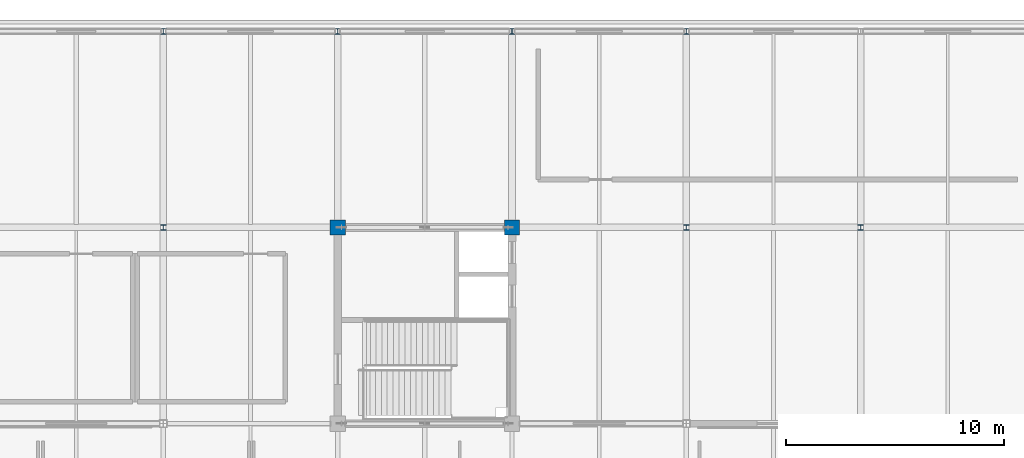
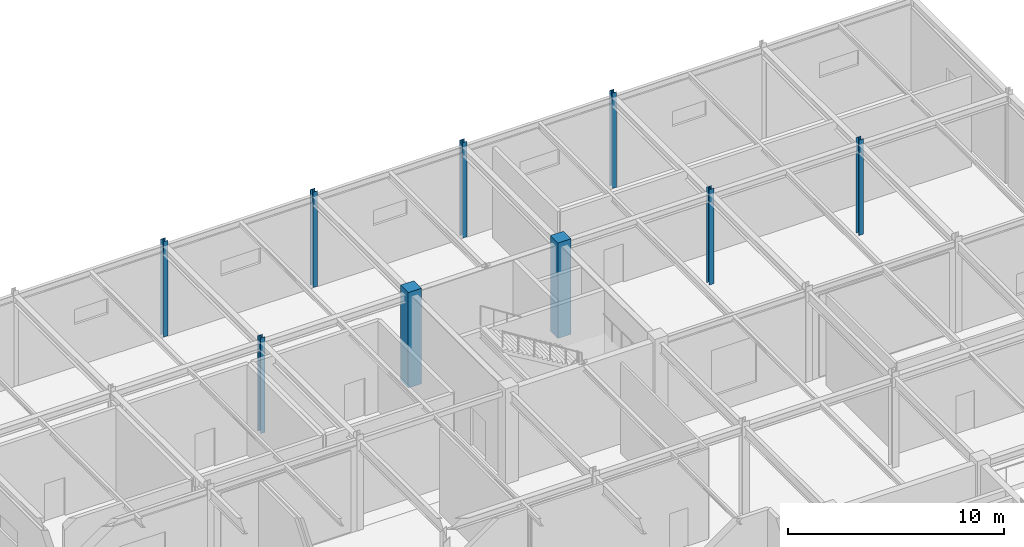
# One storey, part 18 of 184: 9 columns.
"""IFC4 building model written with IfcOpenShell, lengths in metres."""

import ifcopenshell
import ifcopenshell.guid

model = None  # the IFC model being written
_history = None  # IfcOwnerHistory: only IFC2X3 demands one
_inside = {}  # id of a spatial element -> (the spatial element, [elements in it])
_under = {}  # id of a project, library or spatial element -> (it, [spatial elements below it])
_declared = {}  # id of a project -> (the project, [libraries it declares])
_typed = {}  # id of a type object -> (the type object, [elements of that type])
_made_of = {}  # id of a material, layer set ... -> (it, [elements and type objects made of it])


def new_model(schema):
    """Start an empty IFC model of exactly this schema.

    Asked for "IFC4X3", IfcOpenShell would pick the latest addendum, in which some entities
    have other attributes; the version numbers below select the first issue.
    IFC2X3 requires an IfcOwnerHistory on every rooted entity: one is made here for all.
    """
    global model, _history
    if schema == "IFC4X3":
        model = ifcopenshell.file(schema_version=(4, 3, 0, 0))
    else:
        model = ifcopenshell.file(schema=schema)
    _inside.clear()
    _under.clear()
    _declared.clear()
    _typed.clear()
    _made_of.clear()
    _history = None
    if model.schema == "IFC2X3":
        org = make("IfcOrganization", Name="unknown")
        user = make(
            "IfcPersonAndOrganization",
            ThePerson=make("IfcPerson", FamilyName="unknown"),
            TheOrganization=org,
        )
        app = make(
            "IfcApplication",
            ApplicationDeveloper=org,
            Version="unknown",
            ApplicationFullName="unknown",
            ApplicationIdentifier="unknown",
        )
        _history = make(
            "IfcOwnerHistory",
            OwningUser=user,
            OwningApplication=app,
            ChangeAction="ADDED",
            CreationDate=0,
        )
    return model


def make(cls, **values):
    """One entity of the class cls with the attributes given. An attribute that is None is left unset."""
    return model.create_entity(
        cls, **{name: value for name, value in values.items() if value is not None}
    )


def rooted(cls, **values):
    """An entity with a GlobalId (a new one), such as an element, a storey or a relation."""
    return make(cls, GlobalId=ifcopenshell.guid.new(), OwnerHistory=_history, **values)


def si_unit(unit_type, name, prefix=None):
    """IfcSIUnit, for example si_unit("LENGTHUNIT", "METRE", prefix="MILLI")."""
    return make("IfcSIUnit", UnitType=unit_type, Prefix=prefix, Name=name)


def assignment(units):
    """IfcUnitAssignment: the units of a project."""
    return None if units is None else make("IfcUnitAssignment", Units=units)


def point(xyz):
    """IfcCartesianPoint."""
    return None if xyz is None else make("IfcCartesianPoint", Coordinates=xyz)


def direction(xyz):
    """IfcDirection."""
    return None if xyz is None else make("IfcDirection", DirectionRatios=xyz)


def frame(location, z_axis=None, x_axis=None):
    """IfcAxis2Placement3D, a coordinate frame: its origin and axes. An axis left out is left unset."""
    return make(
        "IfcAxis2Placement3D",
        Location=point(location),
        Axis=direction(z_axis),
        RefDirection=direction(x_axis),
    )


def frame_2d(location, x_axis=None):
    """IfcAxis2Placement2D, a coordinate frame in the plane: its origin and x axis."""
    return make(
        "IfcAxis2Placement2D", Location=point(location), RefDirection=direction(x_axis)
    )


def origin():
    """The frame at (0, 0, 0) with its axes left unset."""
    return frame((0.0, 0.0, 0.0))


def origin_2d():
    """The frame at (0, 0) in the plane with its x axis left unset."""
    return frame_2d((0.0, 0.0))


def place(relative_to, where):
    """IfcLocalPlacement: puts the frame where relative to a parent placement (None: the world)."""
    return make(
        "IfcLocalPlacement", PlacementRelTo=relative_to, RelativePlacement=where
    )


def context(
    kind, dimensions, precision=None, world=None, true_north=None, identifier=None
):
    """IfcGeometricRepresentationContext, for example the 3D "Model" context."""
    return make(
        "IfcGeometricRepresentationContext",
        ContextIdentifier=identifier,
        ContextType=kind,
        CoordinateSpaceDimension=dimensions,
        Precision=precision,
        WorldCoordinateSystem=world,
        TrueNorth=true_north,
    )


def subcontext(parent, identifier, kind, view, scale=None):
    """IfcGeometricRepresentationSubContext, for example "Body" below "Model"."""
    return make(
        "IfcGeometricRepresentationSubContext",
        ContextIdentifier=identifier,
        ContextType=kind,
        ParentContext=parent,
        TargetScale=scale,
        TargetView=view,
    )


def project(units=None, contexts=None):
    """IfcProject with its units and contexts."""
    return rooted(
        "IfcProject",
        Name="project",
        RepresentationContexts=contexts,
        UnitsInContext=assignment(units),
    )


def spatial(cls, under=None, at=None, **own):
    """A site, building, storey or space (cls), placed at a placement, below another one or the project."""
    s = rooted(cls, ObjectPlacement=at, **own)
    if under is not None:
        _under.setdefault(under.id(), (under, []))[1].append(s)
    return s


def profile(cls, at=None, kind="AREA", **sizes):
    """A parametric profile (cls). Its sizes go by their IFC names, for example OverallWidth=200.0."""
    return make(cls, ProfileType=kind, Position=at, **sizes)


def rectangle(**sizes):
    """IfcRectangleProfileDef."""
    return profile("IfcRectangleProfileDef", **sizes)


def i_section(**sizes):
    """IfcIShapeProfileDef."""
    return profile("IfcIShapeProfileDef", **sizes)


def extrude(swept, where, along, depth):
    """IfcExtrudedAreaSolid: the profile swept, set in the frame where, extruded along a direction by depth."""
    return make(
        "IfcExtrudedAreaSolid",
        SweptArea=swept,
        Position=where,
        ExtrudedDirection=direction(along),
        Depth=depth,
    )


def shape(context_of_items, identifier, shape_type, items):
    """IfcShapeRepresentation: the items that make up one representation, for example the "Body"."""
    return make(
        "IfcShapeRepresentation",
        ContextOfItems=context_of_items,
        RepresentationIdentifier=identifier,
        RepresentationType=shape_type,
        Items=items,
    )


def material(Name=None, Category=None):
    """IfcMaterial."""
    return make("IfcMaterial", Name=Name, Category=Category)


def material_profile(
    of_material, cross_section, Name=None, Category=None, Priority=None
):
    """IfcMaterialProfile: a cross section and its material."""
    return make(
        "IfcMaterialProfile",
        Name=Name,
        Material=of_material,
        Profile=cross_section,
        Priority=Priority,
        Category=Category,
    )


def profile_set(profiles, Name=None, composite=None):
    """IfcMaterialProfileSet."""
    return make(
        "IfcMaterialProfileSet",
        Name=Name,
        MaterialProfiles=profiles,
        CompositeProfile=composite,
    )


def made_of(thing, what):
    """Note that an element or type object is made of a material, layer set ...; save() writes the relation."""
    if what is not None:
        _made_of.setdefault(what.id(), (what, []))[1].append(thing)
    return thing


def type_object(cls, material=None, **own):
    """A type object (cls), such as IfcWallType, which elements share."""
    return made_of(rooted(cls, **own), material)


def element(
    cls,
    number,
    at=None,
    inside=None,
    cuts=None,
    type_object=None,
    material=None,
    context=None,
    identifier="Body",
    shape_type=None,
    held_by="IfcProductDefinitionShape",
    body=None,
    shapes=None,
    **own,
):
    """One element of the class cls, such as IfcWall. Its Tag is "e" and its number.

    at: its placement. inside: the storey or other place that contains it. cuts: it is an
    opening in that element (IfcRelVoidsElement). A single representation is given by context,
    identifier, shape_type and body (its items); several are given by shapes. held_by: the class
    of the entity that holds the representations. save() writes the other relations.
    """
    e = rooted(cls, Tag="e%d" % number, ObjectPlacement=at, **own)
    if body is not None:
        shapes = [shape(context, identifier, shape_type, body)]
    if shapes is not None:
        e.Representation = make(held_by, Representations=shapes)
    if inside is not None:
        _inside.setdefault(inside.id(), (inside, []))[1].append(e)
    if cuts is not None:
        rooted(
            "IfcRelVoidsElement", RelatingBuildingElement=cuts, RelatedOpeningElement=e
        )
    if type_object is not None:
        _typed.setdefault(type_object.id(), (type_object, []))[1].append(e)
    return made_of(e, material)


def aggregate(whole, parts):
    """IfcRelAggregates: a whole, such as a stair, and the parts it consists of."""
    return rooted("IfcRelAggregates", RelatingObject=whole, RelatedObjects=parts)


def save(model, path):
    """Write the relations noted so far, then the file.

    IfcRelAggregates (storeys below a building ...), IfcRelContainedInSpatialStructure (elements
    in a storey), IfcRelDefinesByType, IfcRelAssociatesMaterial and IfcRelDeclares: one each for
    every whole, place, type object, material and project.
    """
    for whole, parts in _under.values():
        aggregate(whole, parts)
    for where, things in _inside.values():
        rooted(
            "IfcRelContainedInSpatialStructure",
            RelatedElements=things,
            RelatingStructure=where,
        )
    for kind, things in _typed.values():
        rooted("IfcRelDefinesByType", RelatedObjects=things, RelatingType=kind)
    for what, things in _made_of.values():
        rooted("IfcRelAssociatesMaterial", RelatedObjects=things, RelatingMaterial=what)
    for by, libraries in _declared.values():
        rooted("IfcRelDeclares", RelatingContext=by, RelatedDefinitions=libraries)
    model.write(path)


model = new_model("IFC4")

# Units and contexts
model_context = context("Model", 3, precision=1e-05, world=origin(), true_north=direction((0.0, 1.0)))
body_context = subcontext(model_context, "Body", "Model", "MODEL_VIEW")
ifc_project = project(units=[si_unit("LENGTHUNIT", "METRE"), si_unit("AREAUNIT", "SQUARE_METRE"), si_unit("VOLUMEUNIT", "CUBIC_METRE"), si_unit("PLANEANGLEUNIT", "RADIAN"), si_unit("MASSUNIT", "GRAM", prefix="KILO")], contexts=[model_context])

# Site, building, storey
site_placement = place(None, origin())
site = spatial("IfcSite", under=ifc_project, at=site_placement, CompositionType="ELEMENT")
building_placement = place(site_placement, origin())
building = spatial("IfcBuilding", under=site, at=building_placement, Name="Zhaolan Boulevard Law Courts", CompositionType="ELEMENT")
storey_placement = place(building_placement, frame((0.0, 0.0, 5.39990234375)))
storey = spatial("IfcBuildingStorey", under=building, at=storey_placement, Name="L01", CompositionType="ELEMENT", Elevation=5.39990234375)

# Columns
ifc_material_1 = material(Name="Structural steel Q355B", Category="steel")
ifc_material_profile_1 = material_profile(ifc_material_1, i_section(OverallWidth=0.25, OverallDepth=0.25, WebThickness=0.009033203125, FlangeThickness=0.013916015625, FilletRadius=0.01611328125, at=origin_2d()), Name="HW250x250")
ifc_profile_set_1 = profile_set([ifc_material_profile_1], Name="Structural steel Q355B")
column_type_1 = type_object("IfcColumnType", Name="COL HW250", PredefinedType="COLUMN", material=ifc_profile_set_1)
for number, where, z_axis, x_axis, name in (
    (1, (68.0, 103.0, 0.0), (0.0, 0.0, 1.0), (1.0, 0.0, 0.0), "Column C-9P (L01)"),
    (2, (68.0, 112.0, 0.0), (0.0, 0.0, 1.0), (1.0, 0.0, 0.0), "Column C-9Q (L01)"),
    (3, (76.0, 112.0, 0.0), (0.0, 0.0, 1.0), (1.0, 0.0, 0.0), "Column C-10Q (L01)"),
    (4, (84.0, 112.0, 0.0), (0.0, 0.0, 1.0), (1.0, 0.0, 0.0), "Column C-11Q (L01)"),
    (5, (92.0, 103.0, 0.0), (0.0, 0.0, 1.0), (1.0, 0.0, 0.0), "Column C-12P (L01)"),
    (6, (92.0, 112.0, 0.0), (0.0, 0.0, 1.0), (1.0, 0.0, 0.0), "Column C-12Q (L01)"),
    (7, (100.0, 103.0, 0.0), (0.0, 0.0, 1.0), (1.0, 0.0, 0.0), "Column C-13P (L01)"),
):
    element("IfcColumn", number, at=place(storey_placement, frame(where, z_axis=z_axis, x_axis=x_axis)), inside=storey, type_object=column_type_1, Name=name, PredefinedType="COLUMN", context=body_context, shape_type="SweptSolid", body=[
        extrude(i_section(OverallWidth=0.25, OverallDepth=0.25, WebThickness=0.009033203125, FlangeThickness=0.013916015625, FilletRadius=0.01611328125, at=origin_2d()), origin(), (0.0, 0.0, 1.0), 5.400146484375),
    ])
ifc_material_2 = material(Name="Concrete C50", Category="concrete")
ifc_material_profile_2 = material_profile(ifc_material_2, rectangle(XDim=0.699951171875, YDim=0.699951171875, at=origin_2d()), Name="RC700x700")
ifc_profile_set_2 = profile_set([ifc_material_profile_2], Name="Concrete C50")
column_type_2 = type_object("IfcColumnType", Name="COL RC700", PredefinedType="COLUMN", material=ifc_profile_set_2)
for number, where, z_axis, x_axis, name in (
    (8, (76.0, 103.0, 0.0), (0.0, 0.0, 1.0), (1.0, 0.0, 0.0), "Column C-10P (L01)"),
    (9, (84.0, 103.0, 0.0), (0.0, 0.0, 1.0), (1.0, 0.0, 0.0), "Column C-11P (L01)"),
):
    element("IfcColumn", number, at=place(storey_placement, frame(where, z_axis=z_axis, x_axis=x_axis)), inside=storey, type_object=column_type_2, Name=name, PredefinedType="COLUMN", context=body_context, shape_type="SweptSolid", body=[
        extrude(rectangle(XDim=0.699951171875, YDim=0.699951171875, at=origin_2d()), origin(), (0.0, 0.0, 1.0), 5.400146484375),
    ])

save(model, "model.ifc")
